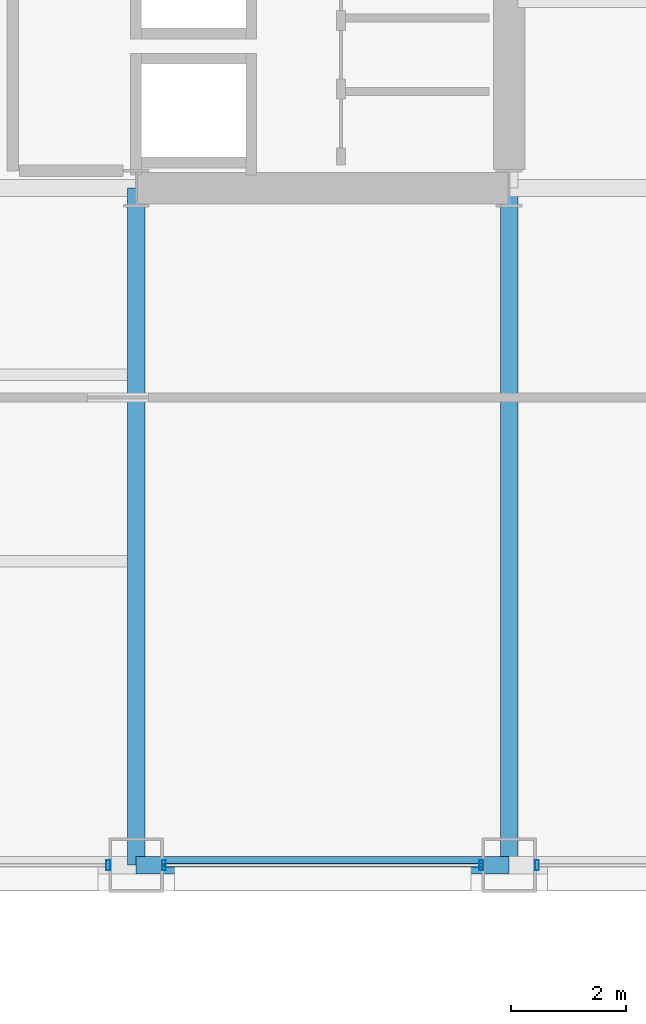
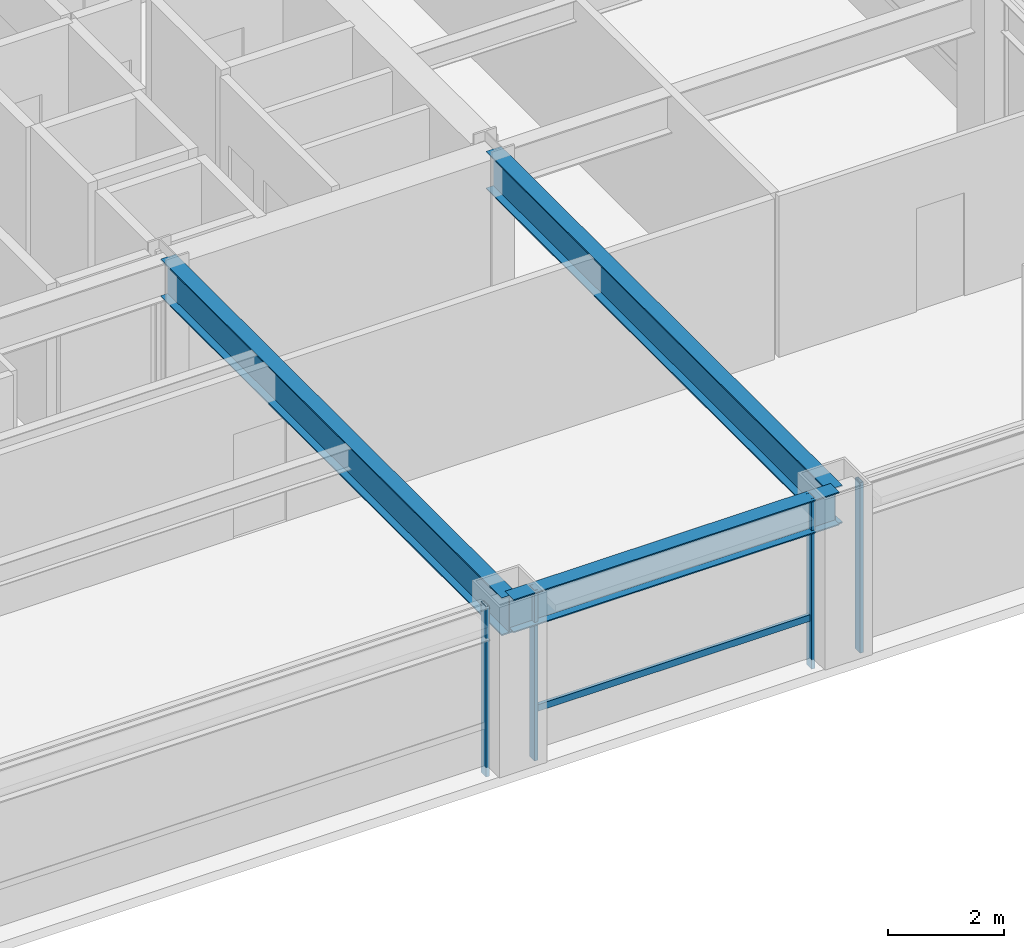
# One storey, part 9 of 31: 5 members, 3 beams, 3 elements without a shape of their own.
"""IFC4 building model written with IfcOpenShell, lengths in metres."""

from ifc_helpers import new_model, si_unit, direction, frame, origin, origin_2d, place, context, subcontext, project, spatial, hollow_rectangle, i_section, extrude, material, layer, layer_set, material_profile, profile_set, type_object, element, aggregate, save


model = new_model("IFC4")

# Units and contexts
model_context = context("Model", 3, precision=1e-05, world=origin(), true_north=direction((0.0, 1.0)))
body_context = subcontext(model_context, "Body", "Model", "MODEL_VIEW")
ifc_project = project(units=[si_unit("LENGTHUNIT", "METRE"), si_unit("AREAUNIT", "SQUARE_METRE"), si_unit("VOLUMEUNIT", "CUBIC_METRE"), si_unit("PLANEANGLEUNIT", "RADIAN"), si_unit("MASSUNIT", "GRAM", prefix="KILO")], contexts=[model_context])

# Site, building, storey
site_placement = place(None, origin())
site = spatial("IfcSite", under=ifc_project, at=site_placement, CompositionType="ELEMENT")
building_placement = place(site_placement, origin())
building = spatial("IfcBuilding", under=site, at=building_placement, Name="Brelmoor Portico Tower", CompositionType="ELEMENT")
storey_placement = place(building_placement, frame((0.0, 0.0, 38.39990234375)))
storey = spatial("IfcBuildingStorey", under=building, at=storey_placement, Name="L09", CompositionType="ELEMENT", Elevation=38.39990234375)

# Beams
ifc_material_1 = material(Name="Steel Q355B", Category="steel")
ifc_material_profile_1 = material_profile(ifc_material_1, i_section(OverallWidth=0.300048828125, OverallDepth=0.800048828125, WebThickness=0.013916015625, FlangeThickness=0.02587890625, at=origin_2d()), Name="HN 800x300x14x26")
ifc_profile_set_1 = profile_set([ifc_material_profile_1], Name="Steel Q355B")
beam_type_1 = type_object("IfcBeamType", Name="BM-PG-800", PredefinedType="BEAM", material=ifc_profile_set_1)
for number, where, z_axis, x_axis, name in (
    (1, (8.050048828125, -21.550048828125, 3.0), (0.0, 1.0, 0.0), (-1.0, 0.0, 0.0), "L09 Primary Floor Girder PG-09"),
    (2, (14.550048828125, -21.550048828125, 3.0), (0.0, 1.0, 0.0), (-1.0, 0.0, 0.0), "L09 Primary Floor Girder PG-11"),
):
    element("IfcBeam", number, at=place(storey_placement, frame(where, z_axis=z_axis, x_axis=x_axis)), inside=storey, type_object=beam_type_1, Name=name, PredefinedType="BEAM", context=body_context, shape_type="SweptSolid", body=[
        extrude(i_section(OverallWidth=0.300048828125, OverallDepth=0.800048828125, WebThickness=0.013916015625, FlangeThickness=0.02587890625, at=origin_2d()), origin(), (0.0, 0.0, 1.0), 11.800048828125),
    ])
ifc_material_profile_2 = material_profile(ifc_material_1, i_section(OverallWidth=0.300048828125, OverallDepth=0.699951171875, WebThickness=0.012939453125, FlangeThickness=0.02392578125, at=origin_2d()), Name="HN 700x300x13x24")
ifc_profile_set_2 = profile_set([ifc_material_profile_2], Name="Steel Q355B")
beam_type_2 = type_object("IfcBeamType", Name="BM-SP-700", PredefinedType="SPANDREL", material=ifc_profile_set_2)
beam_placement = place(storey_placement, frame((8.050048828125, -21.550048828125, 3.050048828125), z_axis=(1.0, 0.0, 0.0), x_axis=(0.0, 1.0, 0.0)))
element("IfcBeam", 3, at=beam_placement, inside=storey, type_object=beam_type_2, Name="L09 Perimeter Spandrel Beam SP-04", PredefinedType="SPANDREL", context=body_context, shape_type="SweptSolid", body=[
    extrude(i_section(OverallWidth=0.300048828125, OverallDepth=0.699951171875, WebThickness=0.012939453125, FlangeThickness=0.02392578125, at=origin_2d()), origin(), (0.0, 0.0, 1.0), 6.5),
])

# Curtain wall, member
ifc_material_2 = material(Name="Anodised Aluminium Alloy 6063-T6", Category="aluminium")
ifc_layer_1 = layer(ifc_material_2, 0.179931640625)
ifc_layer_set_1 = layer_set([ifc_layer_1], Name="Anodised Aluminium Alloy 6063-T6")
curtain_wall_type_1 = type_object("IfcCurtainWallType", Name="CW-TOWER-Z1", PredefinedType="NOTDEFINED", material=ifc_layer_set_1)
curtain_wall_1_placement = place(storey_placement, origin())
curtain_wall_1 = element("IfcCurtainWall", 4, at=curtain_wall_1_placement, inside=storey, type_object=curtain_wall_type_1, Name="L09 Curtain Wall CW-L09-1R-1", PredefinedType="NOTDEFINED")
ifc_material_profile_3 = material_profile(ifc_material_2, hollow_rectangle(XDim=0.06494140625, YDim=0.179931640625, WallThickness=0.00390625, at=origin_2d()), Name="ALU MULLION 65x180")
ifc_profile_set_3 = profile_set([ifc_material_profile_3], Name="Anodised Aluminium Alloy 6063-T6")
member_type_1 = type_object("IfcMemberType", Name="MB-CW-MULL-180", PredefinedType="MULLION", material=ifc_profile_set_3)
member_1_placement = place(storey_placement, frame((7.56494140625, -21.550048828125, -0.199951171875), z_axis=(0.0, 0.0, 1.0), x_axis=(1.0, 0.0, 0.0)))
member_1 = element("IfcMember", 5, at=member_1_placement, type_object=member_type_1, Name="CW-L09-1R-1 Mullion 01", PredefinedType="MULLION", context=body_context, shape_type="SweptSolid", body=[
    extrude(hollow_rectangle(XDim=0.06494140625, YDim=0.179931640625, WallThickness=0.00390625, at=origin_2d()), origin(), (0.0, 0.0, 1.0), 3.60009765625),
])
aggregate(curtain_wall_1, [member_1])

# Curtain wall, members
curtain_wall_2_placement = place(storey_placement, origin())
curtain_wall_2 = element("IfcCurtainWall", 6, at=curtain_wall_2_placement, inside=storey, type_object=curtain_wall_type_1, Name="L09 Curtain Wall CW-L09-1R-2", PredefinedType="NOTDEFINED")
member_2_placement = place(storey_placement, frame((8.534912109375, -21.550048828125, -0.199951171875), z_axis=(0.0, 0.0, 1.0), x_axis=(1.0, 0.0, 0.0)))
member_2 = element("IfcMember", 7, at=member_2_placement, type_object=member_type_1, Name="CW-L09-1R-2 Mullion 00", PredefinedType="MULLION", context=body_context, shape_type="SweptSolid", body=[
    extrude(hollow_rectangle(XDim=0.06494140625, YDim=0.179931640625, WallThickness=0.00390625, at=origin_2d()), origin(), (0.0, 0.0, 1.0), 3.60009765625),
])
member_3_placement = place(storey_placement, frame((14.06494140625, -21.550048828125, -0.199951171875), z_axis=(0.0, 0.0, 1.0), x_axis=(1.0, 0.0, 0.0)))
member_3 = element("IfcMember", 8, at=member_3_placement, type_object=member_type_1, Name="CW-L09-1R-2 Mullion 01", PredefinedType="MULLION", context=body_context, shape_type="SweptSolid", body=[
    extrude(hollow_rectangle(XDim=0.06494140625, YDim=0.179931640625, WallThickness=0.00390625, at=origin_2d()), origin(), (0.0, 0.0, 1.0), 3.60009765625),
])

# Curtain wall, member
ifc_layer_2 = layer(ifc_material_2, 0.179931640625)
ifc_layer_set_2 = layer_set([ifc_layer_2], Name="Anodised Aluminium Alloy 6063-T6")
curtain_wall_type_2 = type_object("IfcCurtainWallType", Name="CW-TOWER-Z1-XB", PredefinedType="NOTDEFINED", material=ifc_layer_set_2)
curtain_wall_3_placement = place(storey_placement, origin())
curtain_wall_3 = element("IfcCurtainWall", 9, at=curtain_wall_3_placement, inside=storey, type_object=curtain_wall_type_2, Name="L09 Curtain Wall CW-L09-1R-3", PredefinedType="NOTDEFINED")
member_4_placement = place(storey_placement, frame((15.034912109375, -21.550048828125, -0.199951171875), z_axis=(0.0, 0.0, 1.0), x_axis=(1.0, 0.0, 0.0)))
member_4 = element("IfcMember", 10, at=member_4_placement, type_object=member_type_1, Name="CW-L09-1R-3 Mullion 00", PredefinedType="MULLION", context=body_context, shape_type="SweptSolid", body=[
    extrude(hollow_rectangle(XDim=0.06494140625, YDim=0.179931640625, WallThickness=0.00390625, at=origin_2d()), origin(), (0.0, 0.0, 1.0), 3.60009765625),
])
aggregate(curtain_wall_3, [member_4])

# Member
ifc_material_profile_4 = material_profile(ifc_material_2, hollow_rectangle(XDim=0.06494140625, YDim=0.139892578125, WallThickness=0.00390625, at=origin_2d()), Name="ALU TRANSOM 65x140")
ifc_profile_set_4 = profile_set([ifc_material_profile_4], Name="Anodised Aluminium Alloy 6063-T6")
member_type_2 = type_object("IfcMemberType", Name="MB-CW-TRAN-140", PredefinedType="USERDEFINED", material=ifc_profile_set_4)
member_5_placement = place(storey_placement, frame((8.534912109375, -21.550048828125, 0.85009765625), z_axis=(1.0, 0.0, 0.0), x_axis=(0.0, 1.0, 0.0)))
member_5 = element("IfcMember", 11, at=member_5_placement, type_object=member_type_2, Name="CW-L09-1R-2 Transom 1-00", ObjectType="TRANSOM", PredefinedType="USERDEFINED", context=body_context, shape_type="SweptSolid", body=[
    extrude(hollow_rectangle(XDim=0.06494140625, YDim=0.139892578125, WallThickness=0.00390625, at=origin_2d()), origin(), (0.0, 0.0, 1.0), 5.530029296875),
])

aggregate(curtain_wall_2, [member_2, member_3, member_5])

save(model, "model.ifc")
